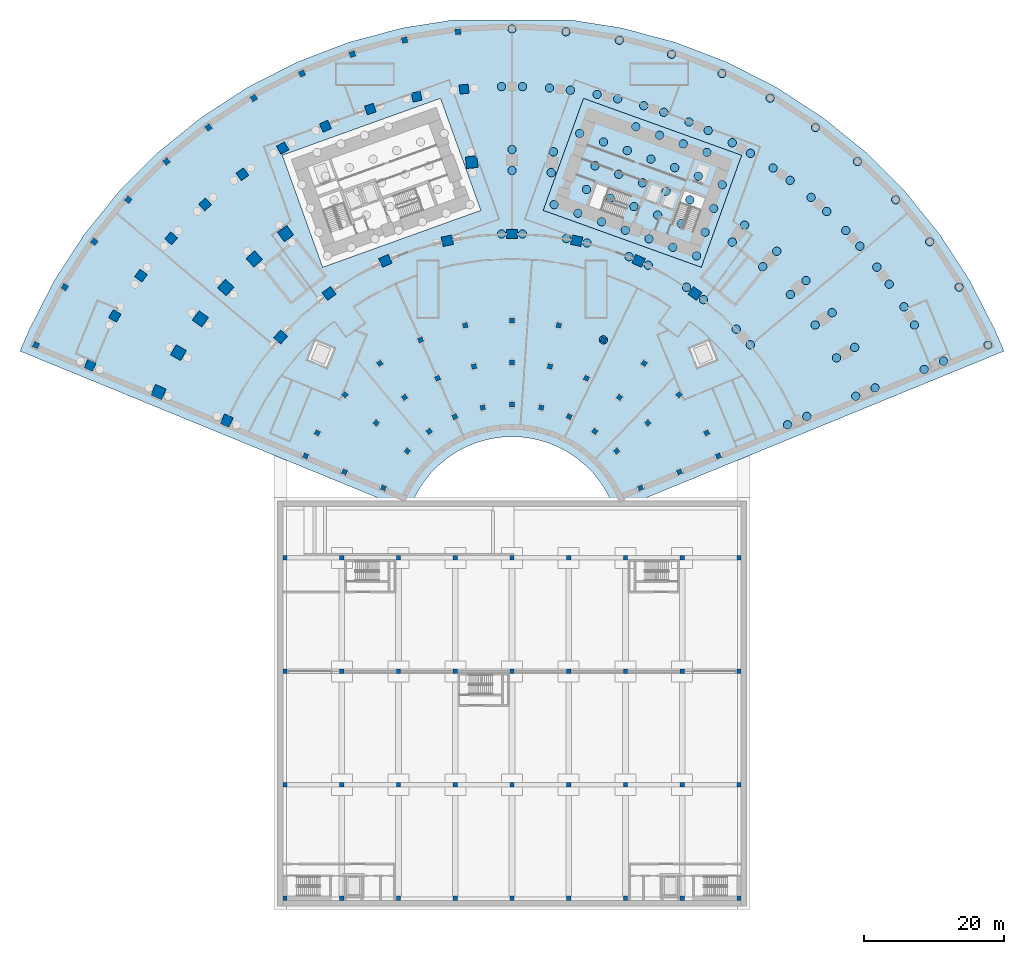
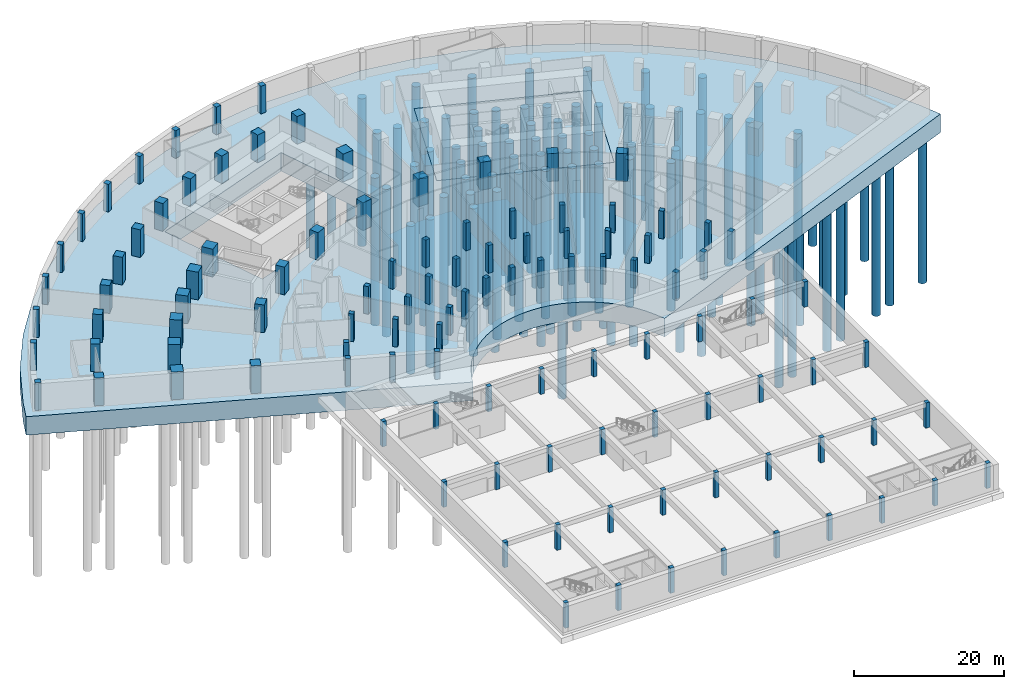
# One storey, part 2 of 25: 109 columns, 95 piles, 2 footings.
"""IFC4 building model written with IfcOpenShell, lengths in metres."""

from ifc_helpers import new_model, si_unit, direction, frame, origin, origin_2d, place, context, subcontext, project, spatial, polyline, rectangle, circle, outline, extrude, material, layer, layer_set, material_profile, profile_set, type_object, element, save


model = new_model("IFC4")

# Units and contexts
model_context = context("Model", 3, precision=1e-05, world=origin(), true_north=direction((0.0, 1.0)))
body_context = subcontext(model_context, "Body", "Model", "MODEL_VIEW")
ifc_project = project(units=[si_unit("LENGTHUNIT", "METRE"), si_unit("AREAUNIT", "SQUARE_METRE"), si_unit("VOLUMEUNIT", "CUBIC_METRE"), si_unit("PLANEANGLEUNIT", "RADIAN"), si_unit("MASSUNIT", "GRAM", prefix="KILO")], contexts=[model_context])

# Site, building, storey
site_placement = place(None, origin())
site = spatial("IfcSite", under=ifc_project, at=site_placement, CompositionType="ELEMENT")
building_placement = place(site_placement, origin())
building = spatial("IfcBuilding", under=site, at=building_placement, Name="Stone Belt Terrace Tower", CompositionType="ELEMENT")
storey_placement = place(building_placement, frame((0.0, 0.0, -13.5)))
storey = spatial("IfcBuildingStorey", under=building, at=storey_placement, Name="B3", CompositionType="ELEMENT", Elevation=-13.5)

# Piles
ifc_material_1 = material(Name="Concrete B40", Category="concrete")
ifc_material_profile_1 = material_profile(ifc_material_1, circle(Radius=0.60009765625, at=origin_2d()), Name="PILE D1200")
ifc_profile_set_1 = profile_set([ifc_material_profile_1], Name="Concrete B40")
pile_type = type_object("IfcPileType", Name="Bored pile D1200", PredefinedType="BORED", material=ifc_profile_set_1)
for number, where, z_axis, x_axis, name in (
    (1, (13.05615234375, 29.32470703125, -2.89990234375), (0.0, 0.0, -1.0), (1.0, 0.0, 0.0), "Pile 31"),
    (2, (-1.5, 44.445068359375, -2.89990234375), (0.0, 0.0, -1.0), (1.0, 0.0, 0.0), "Pile 46"),
    (3, (1.5, 44.445068359375, -2.89990234375), (0.0, 0.0, -1.0), (1.0, 0.0, 0.0), "Pile 47"),
    (4, (7.7734375, 43.78564453125, -2.89990234375), (0.0, 0.0, -1.0), (1.0, 0.0, 0.0), "Pile 48"),
    (5, (10.7080078125, 43.161865234375, -2.89990234375), (0.0, 0.0, -1.0), (1.0, 0.0, 0.0), "Pile 49"),
    (6, (16.70703125, 41.212646484375, -2.89990234375), (0.0, 0.0, -1.0), (1.0, 0.0, 0.0), "Pile 50"),
    (7, (19.44775390625, 39.992431640625, -2.89990234375), (0.0, 0.0, -1.0), (1.0, 0.0, 0.0), "Pile 51"),
    (8, (24.91064453125, 36.83837890625, -2.89990234375), (0.0, 0.0, -1.0), (1.0, 0.0, 0.0), "Pile 52"),
    (9, (27.337646484375, 35.0751953125, -2.89990234375), (0.0, 0.0, -1.0), (1.0, 0.0, 0.0), "Pile 53"),
    (10, (32.025390625, 30.854248046875, -2.89990234375), (0.0, 0.0, -1.0), (1.0, 0.0, 0.0), "Pile 54"),
    (11, (34.03271484375, 28.624755859375, -2.89990234375), (0.0, 0.0, -1.0), (1.0, 0.0, 0.0), "Pile 55"),
    (12, (39.352783203125, 17.194091796875, -2.89990234375), (0.0, 0.0, -1.0), (1.0, 0.0, 0.0), "Pile 56"),
    (13, (42.101806640625, 18.395263671875, -2.89990234375), (0.0, 0.0, -1.0), (1.0, 0.0, 0.0), "Pile 57"),
    (14, (0.0, 53.5, -2.89990234375), (0.0, 0.0, -1.0), (1.0, 0.0, 0.0), "Pile 72"),
    (15, (0.0, 56.5, -2.89990234375), (0.0, 0.0, -1.0), (1.0, 0.0, 0.0), "Pile 73"),
    (16, (5.59228515625, 53.206787109375, -2.89990234375), (0.0, 0.0, -1.0), (1.0, 0.0, 0.0), "Pile 74"),
    (17, (5.906005859375, 56.1904296875, -2.89990234375), (0.0, 0.0, -1.0), (1.0, 0.0, 0.0), "Pile 75"),
    (18, (31.446533203125, 43.282470703125, -2.89990234375), (0.0, 0.0, -1.0), (1.0, 0.0, 0.0), "Pile 76"),
    (19, (33.2099609375, 45.70947265625, -2.89990234375), (0.0, 0.0, -1.0), (1.0, 0.0, 0.0), "Pile 77"),
    (20, (35.798583984375, 39.75830078125, -2.89990234375), (0.0, 0.0, -1.0), (1.0, 0.0, 0.0), "Pile 78"),
    (21, (37.805908203125, 41.98779296875, -2.89990234375), (0.0, 0.0, -1.0), (1.0, 0.0, 0.0), "Pile 79"),
    (22, (39.75830078125, 35.798583984375, -2.89990234375), (0.0, 0.0, -1.0), (1.0, 0.0, 0.0), "Pile 80"),
    (23, (41.98779296875, 37.805908203125, -2.89990234375), (0.0, 0.0, -1.0), (1.0, 0.0, 0.0), "Pile 81"),
    (24, (43.282470703125, 31.446533203125, -2.89990234375), (0.0, 0.0, -1.0), (1.0, 0.0, 0.0), "Pile 82"),
    (25, (45.70947265625, 33.2099609375, -2.89990234375), (0.0, 0.0, -1.0), (1.0, 0.0, 0.0), "Pile 83"),
    (26, (46.33251953125, 26.75, -2.89990234375), (0.0, 0.0, -1.0), (1.0, 0.0, 0.0), "Pile 84"),
    (27, (48.930419921875, 28.25, -2.89990234375), (0.0, 0.0, -1.0), (1.0, 0.0, 0.0), "Pile 85"),
    (28, (49.089599609375, 21.27099609375, -2.89990234375), (0.0, 0.0, -1.0), (1.0, 0.0, 0.0), "Pile 86"),
    (29, (51.84228515625, 22.4638671875, -2.89990234375), (0.0, 0.0, -1.0), (1.0, 0.0, 0.0), "Pile 87"),
    (30, (-1.5, 65.489013671875, -2.89990234375), (0.0, 0.0, -1.0), (1.0, 0.0, 0.0), "Pile 110"),
    (31, (1.5, 65.489013671875, -2.89990234375), (0.0, 0.0, -1.0), (1.0, 0.0, 0.0), "Pile 111"),
    (32, (5.353759765625, 65.286865234375, -2.89990234375), (0.0, 0.0, -1.0), (1.0, 0.0, 0.0), "Pile 112"),
    (33, (8.337158203125, 64.973388671875, -2.89990234375), (0.0, 0.0, -1.0), (1.0, 0.0, 0.0), "Pile 113"),
    (34, (12.148681640625, 64.36962890625, -2.89990234375), (0.0, 0.0, -1.0), (1.0, 0.0, 0.0), "Pile 114"),
    (35, (15.0830078125, 63.745849609375, -2.89990234375), (0.0, 0.0, -1.0), (1.0, 0.0, 0.0), "Pile 115"),
    (36, (18.810546875, 62.7470703125, -2.89990234375), (0.0, 0.0, -1.0), (1.0, 0.0, 0.0), "Pile 116"),
    (37, (21.663818359375, 61.820068359375, -2.89990234375), (0.0, 0.0, -1.0), (1.0, 0.0, 0.0), "Pile 117"),
    (38, (25.266357421875, 60.437255859375, -2.89990234375), (0.0, 0.0, -1.0), (1.0, 0.0, 0.0), "Pile 118"),
    (39, (28.007080078125, 59.216796875, -2.89990234375), (0.0, 0.0, -1.0), (1.0, 0.0, 0.0), "Pile 119"),
    (40, (31.4453125, 57.465087890625, -2.89990234375), (0.0, 0.0, -1.0), (1.0, 0.0, 0.0), "Pile 120"),
    (41, (34.04345703125, 55.965087890625, -2.89990234375), (0.0, 0.0, -1.0), (1.0, 0.0, 0.0), "Pile 121"),
    (42, (37.27978515625, 53.86328125, -2.89990234375), (0.0, 0.0, -1.0), (1.0, 0.0, 0.0), "Pile 122"),
    (43, (39.706787109375, 52.099853515625, -2.89990234375), (0.0, 0.0, -1.0), (1.0, 0.0, 0.0), "Pile 123"),
    (44, (42.705810546875, 49.67138671875, -2.89990234375), (0.0, 0.0, -1.0), (1.0, 0.0, 0.0), "Pile 124"),
    (45, (44.935302734375, 47.6640625, -2.89990234375), (0.0, 0.0, -1.0), (1.0, 0.0, 0.0), "Pile 125"),
    (46, (47.6640625, 44.935302734375, -2.89990234375), (0.0, 0.0, -1.0), (1.0, 0.0, 0.0), "Pile 126"),
    (47, (49.67138671875, 42.705810546875, -2.89990234375), (0.0, 0.0, -1.0), (1.0, 0.0, 0.0), "Pile 127"),
    (48, (52.099853515625, 39.706787109375, -2.89990234375), (0.0, 0.0, -1.0), (1.0, 0.0, 0.0), "Pile 128"),
    (49, (53.86328125, 37.27978515625, -2.89990234375), (0.0, 0.0, -1.0), (1.0, 0.0, 0.0), "Pile 129"),
    (50, (55.965087890625, 34.04345703125, -2.89990234375), (0.0, 0.0, -1.0), (1.0, 0.0, 0.0), "Pile 130"),
    (51, (57.465087890625, 31.4453125, -2.89990234375), (0.0, 0.0, -1.0), (1.0, 0.0, 0.0), "Pile 131"),
    (52, (58.862060546875, 25.0966796875, -2.89990234375), (0.0, 0.0, -1.0), (1.0, 0.0, 0.0), "Pile 132"),
    (53, (61.62158203125, 26.273193359375, -2.89990234375), (0.0, 0.0, -1.0), (1.0, 0.0, 0.0), "Pile 133"),
    (54, (0.0, 73.727783203125, -2.89990234375), (0.0, 0.0, -1.0), (1.0, 0.0, 0.0), "Pile 145"),
    (55, (7.706787109375, 73.323974609375, -2.89990234375), (0.0, 0.0, -1.0), (1.0, 0.0, 0.0), "Pile 146"),
    (56, (15.328857421875, 72.11669921875, -2.89990234375), (0.0, 0.0, -1.0), (1.0, 0.0, 0.0), "Pile 147"),
    (57, (22.783203125, 70.119384765625, -2.89990234375), (0.0, 0.0, -1.0), (1.0, 0.0, 0.0), "Pile 148"),
    (58, (29.98779296875, 67.353759765625, -2.89990234375), (0.0, 0.0, -1.0), (1.0, 0.0, 0.0), "Pile 149"),
    (59, (36.864013671875, 63.85009765625, -2.89990234375), (0.0, 0.0, -1.0), (1.0, 0.0, 0.0), "Pile 150"),
    (60, (43.336181640625, 59.647216796875, -2.89990234375), (0.0, 0.0, -1.0), (1.0, 0.0, 0.0), "Pile 151"),
    (61, (49.33349609375, 54.79052734375, -2.89990234375), (0.0, 0.0, -1.0), (1.0, 0.0, 0.0), "Pile 152"),
    (62, (54.79052734375, 49.33349609375, -2.89990234375), (0.0, 0.0, -1.0), (1.0, 0.0, 0.0), "Pile 153"),
    (63, (59.647216796875, 43.336181640625, -2.89990234375), (0.0, 0.0, -1.0), (1.0, 0.0, 0.0), "Pile 154"),
    (64, (63.85009765625, 36.864013671875, -2.89990234375), (0.0, 0.0, -1.0), (1.0, 0.0, 0.0), "Pile 155"),
    (65, (67.96337890625, 28.57958984375, -2.89990234375), (0.0, 0.0, -1.0), (1.0, 0.0, 0.0), "Pile 156"),
    (66, (6.0244140625, 48.63330078125, -3.39990234375), (0.0, 0.0, -1.0), (1.0, 0.0, 0.0), "Pile 187"),
    (67, (9.681396484375, 58.795166015625, -3.39990234375), (0.0, 0.0, -1.0), (1.0, 0.0, 0.0), "Pile 188"),
    (68, (9.41162109375, 47.4140625, -3.39990234375), (0.0, 0.0, -1.0), (1.0, 0.0, 0.0), "Pile 189"),
    (69, (10.630615234375, 50.801513671875, -3.39990234375), (0.0, 0.0, -1.0), (1.0, 0.0, 0.0), "Pile 190"),
    (70, (11.849609375, 54.188720703125, -3.39990234375), (0.0, 0.0, -1.0), (1.0, 0.0, 0.0), "Pile 191"),
    (71, (13.06884765625, 57.576171875, -3.39990234375), (0.0, 0.0, -1.0), (1.0, 0.0, 0.0), "Pile 192"),
    (72, (12.798828125, 46.195068359375, -3.39990234375), (0.0, 0.0, -1.0), (1.0, 0.0, 0.0), "Pile 193"),
    (73, (14.01806640625, 49.58251953125, -3.39990234375), (0.0, 0.0, -1.0), (1.0, 0.0, 0.0), "Pile 194"),
    (74, (15.237060546875, 52.9697265625, -3.39990234375), (0.0, 0.0, -1.0), (1.0, 0.0, 0.0), "Pile 195"),
    (75, (16.4560546875, 56.357177734375, -3.39990234375), (0.0, 0.0, -1.0), (1.0, 0.0, 0.0), "Pile 196"),
    (76, (17.675048828125, 59.744384765625, -3.39990234375), (0.0, 0.0, -1.0), (1.0, 0.0, 0.0), "Pile 197"),
    (77, (16.186279296875, 44.97607421875, -3.39990234375), (0.0, 0.0, -1.0), (1.0, 0.0, 0.0), "Pile 198"),
    (78, (17.4052734375, 48.36328125, -3.39990234375), (0.0, 0.0, -1.0), (1.0, 0.0, 0.0), "Pile 199"),
    (79, (18.624267578125, 51.750732421875, -3.39990234375), (0.0, 0.0, -1.0), (1.0, 0.0, 0.0), "Pile 200"),
    (80, (19.843505859375, 55.137939453125, -3.39990234375), (0.0, 0.0, -1.0), (1.0, 0.0, 0.0), "Pile 201"),
    (81, (21.0625, 58.525390625, -3.39990234375), (0.0, 0.0, -1.0), (1.0, 0.0, 0.0), "Pile 202"),
    (82, (19.573486328125, 43.757080078125, -3.39990234375), (0.0, 0.0, -1.0), (1.0, 0.0, 0.0), "Pile 203"),
    (83, (20.79248046875, 47.144287109375, -3.39990234375), (0.0, 0.0, -1.0), (1.0, 0.0, 0.0), "Pile 204"),
    (84, (22.01171875, 50.531494140625, -3.39990234375), (0.0, 0.0, -1.0), (1.0, 0.0, 0.0), "Pile 205"),
    (85, (23.230712890625, 53.9189453125, -3.39990234375), (0.0, 0.0, -1.0), (1.0, 0.0, 0.0), "Pile 206"),
    (86, (24.44970703125, 57.306396484375, -3.39990234375), (0.0, 0.0, -1.0), (1.0, 0.0, 0.0), "Pile 207"),
    (87, (22.9609375, 42.5380859375, -3.39990234375), (0.0, 0.0, -1.0), (1.0, 0.0, 0.0), "Pile 208"),
    (88, (24.179931640625, 45.92529296875, -3.39990234375), (0.0, 0.0, -1.0), (1.0, 0.0, 0.0), "Pile 209"),
    (89, (25.39892578125, 49.3125, -3.39990234375), (0.0, 0.0, -1.0), (1.0, 0.0, 0.0), "Pile 210"),
    (90, (26.617919921875, 52.699951171875, -3.39990234375), (0.0, 0.0, -1.0), (1.0, 0.0, 0.0), "Pile 211"),
    (91, (27.837158203125, 56.087158203125, -3.39990234375), (0.0, 0.0, -1.0), (1.0, 0.0, 0.0), "Pile 212"),
    (92, (26.34814453125, 41.31884765625, -3.39990234375), (0.0, 0.0, -1.0), (1.0, 0.0, 0.0), "Pile 213"),
    (93, (27.567138671875, 44.706298828125, -3.39990234375), (0.0, 0.0, -1.0), (1.0, 0.0, 0.0), "Pile 214"),
    (94, (28.786376953125, 48.093505859375, -3.39990234375), (0.0, 0.0, -1.0), (1.0, 0.0, 0.0), "Pile 215"),
    (95, (30.00537109375, 51.48095703125, -3.39990234375), (0.0, 0.0, -1.0), (1.0, 0.0, 0.0), "Pile 216"),
):
    element("IfcPile", number, at=place(storey_placement, frame(where, z_axis=z_axis, x_axis=x_axis)), inside=storey, type_object=pile_type, Name=name, PredefinedType="BORED", context=body_context, shape_type="SweptSolid", body=[
        extrude(circle(Radius=0.60009765625, at=origin_2d()), origin(), (0.0, 0.0, 1.0), 24.0),
    ])

# Footings
ifc_layer_1 = layer(ifc_material_1, 3.5)
ifc_layer_set_1 = layer_set([ifc_layer_1], Name="Core pad 3500 B40")
footing_type_1 = type_object("IfcFootingType", Name="Core pad 3500 B40", PredefinedType="PILE_CAP", material=ifc_layer_set_1)
footing_1_placement = place(storey_placement, frame((0.0, 0.0, -3.5)))
element("IfcFooting", 96, at=footing_1_placement, inside=storey, type_object=footing_type_1, Name="Core B pad", PredefinedType="PILE_CAP", context=body_context, shape_type="SweptSolid", body=[
    extrude(outline(polyline([(4.455078125, 47.81640625), (27.037109375, 39.689453125), (32.793701171875, 55.68505859375), (10.211669921875, 63.81201171875), (4.455078125, 47.81640625)])), origin(), (0.0, 0.0, 1.0), 3.5),
])
ifc_layer_2 = layer(ifc_material_1, 3.0)
ifc_layer_set_2 = layer_set([ifc_layer_2], Name="Piled raft 3000 B40")
footing_type_2 = type_object("IfcFootingType", Name="Piled raft 3000 B40", PredefinedType="PILE_CAP", material=ifc_layer_set_2)
footing_2_placement = place(storey_placement, frame((0.0, 0.0, -3.0)))
element("IfcFooting", 97, at=footing_2_placement, inside=storey, type_object=footing_type_2, Name="Tower raft", PredefinedType="PILE_CAP", context=body_context, shape_type="SweptSolid", body=[
    extrude(outline(polyline([(15.697509765625, 73.8515625), (23.331298828125, 71.80615234375), (30.709228515625, 68.973876953125), (37.750732421875, 65.385986328125), (44.378662109375, 61.081787109375), (50.520263671875, 56.1083984375), (56.1083984375, 50.520263671875), (61.081787109375, 44.378662109375), (65.385986328125, 37.750732421875), (68.96533203125, 30.725830078125), (70.253173828125, 27.71337890625), (14.735107421875, 4.95849609375), (14.167236328125, 6.287109375), (13.422119140625, 7.749267578125), (12.538818359375, 9.10986328125), (11.517578125, 10.37060546875), (10.37060546875, 11.517578125), (9.10986328125, 12.538818359375), (7.749267578125, 13.422119140625), (6.303955078125, 14.15869140625), (4.789306640625, 14.739990234375), (3.222412109375, 15.159912109375), (1.6201171875, 15.413818359375), (0.0, 15.49853515625), (-1.6201171875, 15.413818359375), (-3.222412109375, 15.159912109375), (-4.789306640625, 14.739990234375), (-6.303955078125, 14.15869140625), (-7.749267578125, 13.422119140625), (-9.10986328125, 12.538818359375), (-10.37060546875, 11.517578125), (-11.517578125, 10.37060546875), (-12.538818359375, 9.10986328125), (-13.422119140625, 7.749267578125), (-14.167236328125, 6.287109375), (-14.735107421875, 4.95849609375), (-70.253173828125, 27.71337890625), (-68.96533203125, 30.725830078125), (-65.385986328125, 37.750732421875), (-61.081787109375, 44.378662109375), (-56.1083984375, 50.520263671875), (-50.520263671875, 56.1083984375), (-44.378662109375, 61.081787109375), (-37.750732421875, 65.385986328125), (-30.709228515625, 68.973876953125), (-23.331298828125, 71.80615234375), (-15.697509765625, 73.8515625), (-8.4462890625, 75.0), (8.4462890625, 75.0), (15.697509765625, 73.8515625)]), holes=[polyline([(-27.037109375, 39.689453125), (-4.455078125, 47.81640625), (-10.211669921875, 63.81201171875), (-32.793701171875, 55.68505859375), (-27.037109375, 39.689453125)]), polyline([(4.455078125, 47.81640625), (27.037109375, 39.689453125), (32.793701171875, 55.68505859375), (10.211669921875, 63.81201171875), (4.455078125, 47.81640625)])]), origin(), (0.0, 0.0, 1.0), 3.0),
])

# Columns
ifc_material_2 = material(Name="Concrete B60", Category="concrete")
ifc_material_profile_2 = material_profile(ifc_material_2, rectangle(XDim=0.60009765625, YDim=0.60009765625, at=origin_2d()), Name="Car park column 600 x 600")
ifc_profile_set_2 = profile_set([ifc_material_profile_2], Name="Concrete B60")
column_type_1 = type_object("IfcColumnType", Name="Car park column 600 x 600", PredefinedType="COLUMN", material=ifc_profile_set_2)
for number, where, z_axis, x_axis, name in (
    (98, (-32.39990234375, -50.39990234375, 0.0), (0.0, 0.0, 1.0), (1.0, 0.0, 0.0), "Car park column 1A"),
    (99, (-32.39990234375, -34.199951171875, 0.0), (0.0, 0.0, 1.0), (1.0, 0.0, 0.0), "Car park column 1C"),
    (100, (-32.39990234375, -18.0, 0.0), (0.0, 0.0, 1.0), (1.0, 0.0, 0.0), "Car park column 1E"),
    (101, (-32.39990234375, -1.800048828125, 0.0), (0.0, 0.0, 1.0), (1.0, 0.0, 0.0), "Car park column 1G"),
    (102, (-24.300048828125, -50.39990234375, 0.0), (0.0, 0.0, 1.0), (1.0, 0.0, 0.0), "Car park column 2A"),
    (103, (-24.300048828125, -34.199951171875, 0.0), (0.0, 0.0, 1.0), (1.0, 0.0, 0.0), "Car park column 2C"),
    (104, (-24.300048828125, -18.0, 0.0), (0.0, 0.0, 1.0), (1.0, 0.0, 0.0), "Car park column 2E"),
    (105, (-24.300048828125, -1.800048828125, 0.0), (0.0, 0.0, 1.0), (1.0, 0.0, 0.0), "Car park column 2G"),
    (106, (-16.199951171875, -50.39990234375, 0.0), (0.0, 0.0, 1.0), (1.0, 0.0, 0.0), "Car park column 3A"),
    (107, (-16.199951171875, -34.199951171875, 0.0), (0.0, 0.0, 1.0), (1.0, 0.0, 0.0), "Car park column 3C"),
    (108, (-16.199951171875, -18.0, 0.0), (0.0, 0.0, 1.0), (1.0, 0.0, 0.0), "Car park column 3E"),
    (109, (-16.199951171875, -1.800048828125, 0.0), (0.0, 0.0, 1.0), (1.0, 0.0, 0.0), "Car park column 3G"),
    (110, (-8.10009765625, -50.39990234375, 0.0), (0.0, 0.0, 1.0), (1.0, 0.0, 0.0), "Car park column 4A"),
    (111, (-8.10009765625, -34.199951171875, 0.0), (0.0, 0.0, 1.0), (1.0, 0.0, 0.0), "Car park column 4C"),
    (112, (-8.10009765625, -18.0, 0.0), (0.0, 0.0, 1.0), (1.0, 0.0, 0.0), "Car park column 4E"),
    (113, (-8.10009765625, -1.800048828125, 0.0), (0.0, 0.0, 1.0), (1.0, 0.0, 0.0), "Car park column 4G"),
    (114, (0.0, -50.39990234375, 0.0), (0.0, 0.0, 1.0), (1.0, 0.0, 0.0), "Car park column 5A"),
    (115, (0.0, -34.199951171875, 0.0), (0.0, 0.0, 1.0), (1.0, 0.0, 0.0), "Car park column 5C"),
    (116, (0.0, -18.0, 0.0), (0.0, 0.0, 1.0), (1.0, 0.0, 0.0), "Car park column 5E"),
    (117, (0.0, -1.800048828125, 0.0), (0.0, 0.0, 1.0), (1.0, 0.0, 0.0), "Car park column 5G"),
    (118, (8.10009765625, -50.39990234375, 0.0), (0.0, 0.0, 1.0), (1.0, 0.0, 0.0), "Car park column 6A"),
    (119, (8.10009765625, -34.199951171875, 0.0), (0.0, 0.0, 1.0), (1.0, 0.0, 0.0), "Car park column 6C"),
    (120, (8.10009765625, -18.0, 0.0), (0.0, 0.0, 1.0), (1.0, 0.0, 0.0), "Car park column 6E"),
    (121, (8.10009765625, -1.800048828125, 0.0), (0.0, 0.0, 1.0), (1.0, 0.0, 0.0), "Car park column 6G"),
    (122, (16.199951171875, -50.39990234375, 0.0), (0.0, 0.0, 1.0), (1.0, 0.0, 0.0), "Car park column 7A"),
    (123, (16.199951171875, -34.199951171875, 0.0), (0.0, 0.0, 1.0), (1.0, 0.0, 0.0), "Car park column 7C"),
    (124, (16.199951171875, -18.0, 0.0), (0.0, 0.0, 1.0), (1.0, 0.0, 0.0), "Car park column 7E"),
    (125, (16.199951171875, -1.800048828125, 0.0), (0.0, 0.0, 1.0), (1.0, 0.0, 0.0), "Car park column 7G"),
    (126, (24.300048828125, -50.39990234375, 0.0), (0.0, 0.0, 1.0), (1.0, 0.0, 0.0), "Car park column 8A"),
    (127, (24.300048828125, -34.199951171875, 0.0), (0.0, 0.0, 1.0), (1.0, 0.0, 0.0), "Car park column 8C"),
    (128, (24.300048828125, -18.0, 0.0), (0.0, 0.0, 1.0), (1.0, 0.0, 0.0), "Car park column 8E"),
    (129, (24.300048828125, -1.800048828125, 0.0), (0.0, 0.0, 1.0), (1.0, 0.0, 0.0), "Car park column 8G"),
    (130, (32.39990234375, -50.39990234375, 0.0), (0.0, 0.0, 1.0), (1.0, 0.0, 0.0), "Car park column 9A"),
    (131, (32.39990234375, -34.199951171875, 0.0), (0.0, 0.0, 1.0), (1.0, 0.0, 0.0), "Car park column 9C"),
    (132, (32.39990234375, -18.0, 0.0), (0.0, 0.0, 1.0), (1.0, 0.0, 0.0), "Car park column 9E"),
    (133, (32.39990234375, -1.800048828125, 0.0), (0.0, 0.0, 1.0), (1.0, 0.0, 0.0), "Car park column 9G"),
):
    element("IfcColumn", number, at=place(storey_placement, frame(where, z_axis=z_axis, x_axis=x_axis)), inside=storey, type_object=column_type_1, Name=name, PredefinedType="COLUMN", context=body_context, shape_type="SweptSolid", body=[
        extrude(rectangle(XDim=0.60009765625, YDim=0.60009765625, at=origin_2d()), origin(), (0.0, 0.0, 1.0), 4.10009765625),
    ])
ifc_material_3 = material(Name="Concrete B80", Category="concrete")
ifc_material_profile_3 = material_profile(ifc_material_3, rectangle(XDim=1.300048828125, YDim=1.300048828125, at=origin_2d()), Name="RC 1300x1300")
ifc_profile_set_3 = profile_set([ifc_material_profile_3], Name="Concrete B80")
column_type_2 = type_object("IfcColumnType", Name="Column RC 1300x1300 B80", PredefinedType="COLUMN", material=ifc_profile_set_3)
for number, where, z_axis, x_axis, name in (
    (134, (-60.24169921875, 25.68505859375, 0.0), (0.0, 0.0, 1.0), (0.392203865004, 0.919878322538, 0.0), "Column B3 RA"),
    (135, (-56.715087890625, 32.744384765625, 0.0), (0.0, 0.0, 1.0), (0.5, 0.866025403784, 0.0), "Column B3 R12"),
    (136, (-52.981689453125, 38.493408203125, 0.0), (0.0, 0.0, 1.0), (0.587785252292, 0.809016994375, 0.0), "Column B3 R13"),
    (137, (-48.667724609375, 43.820556640625, 0.0), (0.0, 0.0, 1.0), (0.669130606359, 0.743144825477, 0.0), "Column B3 R14"),
    (138, (-43.820556640625, 48.667724609375, 0.0), (0.0, 0.0, 1.0), (0.743144825477, 0.669130606359, 0.0), "Column B3 R15"),
    (139, (-38.493408203125, 52.981689453125, 0.0), (0.0, 0.0, 1.0), (0.809016994375, 0.587785252292, 0.0), "Column B3 R16"),
    (140, (-32.744384765625, 56.715087890625, 0.0), (0.0, 0.0, 1.0), (0.866025403784, 0.5, 0.0), "Column B3 R17"),
    (141, (-26.63671875, 59.8271484375, 0.0), (0.0, 0.0, 1.0), (0.913545457643, 0.406736643076, 0.0), "Column B3 R18"),
    (142, (-20.2373046875, 62.28369140625, 0.0), (0.0, 0.0, 1.0), (0.951056516295, 0.309016994375, 0.0), "Column B3 R19"),
    (143, (-13.615966796875, 64.057861328125, 0.0), (0.0, 0.0, 1.0), (0.978147600734, 0.207911690818, 0.0), "Column B3 R20"),
    (144, (-6.845458984375, 65.130126953125, 0.0), (0.0, 0.0, 1.0), (0.994521895368, 0.104528463268, 0.0), "Column B3 R21"),
):
    element("IfcColumn", number, at=place(storey_placement, frame(where, z_axis=z_axis, x_axis=x_axis)), inside=storey, type_object=column_type_2, Name=name, PredefinedType="COLUMN", context=body_context, shape_type="SweptSolid", body=[
        extrude(rectangle(XDim=1.300048828125, YDim=1.300048828125, at=origin_2d()), origin(), (0.0, 0.0, 1.0), 4.5),
    ])
ifc_material_profile_4 = material_profile(ifc_material_3, rectangle(XDim=1.5, YDim=1.35009765625, at=origin_2d()), Name="RC 1500x1350")
ifc_profile_set_4 = profile_set([ifc_material_profile_4], Name="Concrete B80")
column_type_3 = type_object("IfcColumnType", Name="Column RC 1500x1350 B80", PredefinedType="COLUMN", material=ifc_profile_set_4)
for number, where, z_axis, x_axis, name in (
    (145, (-40.727294921875, 17.794677734375, 0.0), (0.0, 0.0, 1.0), (0.40037622141, 0.916350850564, 0.0), "Column B3 PA"),
    (146, (-33.029052734375, 29.739501953125, 0.0), (0.0, 0.0, 1.0), (0.669130606359, 0.743144825477, 0.0), "Column B3 P14"),
    (147, (-26.1240234375, 35.956787109375, 0.0), (0.0, 0.0, 1.0), (0.809016994375, 0.587785252292, 0.0), "Column B3 P16"),
    (148, (-18.077392578125, 40.6025390625, 0.0), (0.0, 0.0, 1.0), (0.913545457643, 0.406736643076, 0.0), "Column B3 P18"),
    (149, (-9.240478515625, 43.473876953125, 0.0), (0.0, 0.0, 1.0), (0.978147600734, 0.207911690818, 0.0), "Column B3 P20"),
    (150, (0.0, 44.445068359375, 0.0), (0.0, 0.0, 1.0), (1.0, 0.0, 0.0), "Column B3 P22"),
    (151, (9.240478515625, 43.473876953125, 0.0), (0.0, 0.0, 1.0), (0.978147600734, -0.207911690818, 0.0), "Column B3 P24"),
    (152, (18.077392578125, 40.6025390625, 0.0), (0.0, 0.0, 1.0), (0.913545457643, -0.406736643076, 0.0), "Column B3 P26"),
    (153, (26.1240234375, 35.956787109375, 0.0), (0.0, 0.0, 1.0), (0.809016994375, -0.587785252292, 0.0), "Column B3 P28"),
):
    element("IfcColumn", number, at=place(storey_placement, frame(where, z_axis=z_axis, x_axis=x_axis)), inside=storey, type_object=column_type_3, Name=name, PredefinedType="COLUMN", context=body_context, shape_type="SweptSolid", body=[
        extrude(rectangle(XDim=1.5, YDim=1.35009765625, at=origin_2d()), origin(), (0.0, 0.0, 1.0), 4.5),
    ])
ifc_material_profile_5 = material_profile(ifc_material_3, rectangle(XDim=1.64990234375, YDim=1.64990234375, at=origin_2d()), Name="RC 1650x1650")
ifc_profile_set_5 = profile_set([ifc_material_profile_5], Name="Concrete B80")
column_type_4 = type_object("IfcColumnType", Name="Column RC 1650x1650 B80", PredefinedType="COLUMN", material=ifc_profile_set_5)
for number, where, z_axis, x_axis, name in (
    (154, (-50.466064453125, 21.867431640625, 0.0), (0.0, 0.0, 1.0), (0.397588335471, 0.917563902678, 0.0), "Column B3 QA"),
    (155, (-47.63134765625, 27.5, 0.0), (0.0, 0.0, 1.0), (0.5, 0.866025403784, 0.0), "Column B3 Q12"),
    (156, (-44.495849609375, 32.328125, 0.0), (0.0, 0.0, 1.0), (0.587785252292, 0.809016994375, 0.0), "Column B3 Q13"),
    (157, (-40.873046875, 36.80224609375, 0.0), (0.0, 0.0, 1.0), (0.669130606359, 0.743144825477, 0.0), "Column B3 Q14"),
    (158, (-36.80224609375, 40.873046875, 0.0), (0.0, 0.0, 1.0), (0.743144825477, 0.669130606359, 0.0), "Column B3 Q15"),
    (159, (-32.328125, 44.495849609375, 0.0), (0.0, 0.0, 1.0), (0.809016994375, 0.587785252292, 0.0), "Column B3 Q16"),
    (160, (-5.7490234375, 54.69873046875, 0.0), (0.0, 0.0, 1.0), (0.994521895368, 0.104528463268, 0.0), "Column B3 Q21"),
):
    element("IfcColumn", number, at=place(storey_placement, frame(where, z_axis=z_axis, x_axis=x_axis)), inside=storey, type_object=column_type_4, Name=name, PredefinedType="COLUMN", context=body_context, shape_type="SweptSolid", body=[
        extrude(rectangle(XDim=1.64990234375, YDim=1.64990234375, at=origin_2d()), origin(), (0.0, 0.0, 1.0), 4.5),
    ])
ifc_material_profile_6 = material_profile(ifc_material_2, rectangle(XDim=0.699951171875, YDim=0.699951171875, at=origin_2d()), Name="RC 700x700")
ifc_profile_set_6 = profile_set([ifc_material_profile_6], Name="Concrete B60")
column_type_5 = type_object("IfcColumnType", Name="Column RC 700x700 B60", PredefinedType="COLUMN", material=ifc_profile_set_6)
for number, where, z_axis, x_axis, name in (
    (161, (-18.3544921875, 8.19287109375, 0.0), (0.0, 0.0, 1.0), (0.40759905238, 0.913161000316, 0.0), "Column B3 MA"),
    (162, (-14.937255859375, 13.449462890625, 0.0), (0.0, 0.0, 1.0), (0.669130606359, 0.743144825477, 0.0), "Column B3 M14"),
    (163, (-11.814453125, 16.26123046875, 0.0), (0.0, 0.0, 1.0), (0.809016994375, 0.587785252292, 0.0), "Column B3 M16"),
    (164, (-8.17529296875, 18.3623046875, 0.0), (0.0, 0.0, 1.0), (0.913545457643, 0.406736643076, 0.0), "Column B3 M18"),
    (165, (-4.178955078125, 19.660888671875, 0.0), (0.0, 0.0, 1.0), (0.978147600734, 0.207911690818, 0.0), "Column B3 M20"),
    (166, (0.0, 20.10009765625, 0.0), (0.0, 0.0, 1.0), (1.0, 0.0, 0.0), "Column B3 M22"),
    (167, (4.178955078125, 19.660888671875, 0.0), (0.0, 0.0, 1.0), (0.978147600734, -0.207911690818, 0.0), "Column B3 M24"),
    (168, (8.17529296875, 18.3623046875, 0.0), (0.0, 0.0, 1.0), (0.913545457643, -0.406736643076, 0.0), "Column B3 M26"),
    (169, (11.814453125, 16.26123046875, 0.0), (0.0, 0.0, 1.0), (0.809016994375, -0.587785252292, 0.0), "Column B3 M28"),
    (170, (14.937255859375, 13.449462890625, 0.0), (0.0, 0.0, 1.0), (0.669130606359, -0.743144825477, 0.0), "Column B3 M30"),
    (171, (18.3544921875, 8.19287109375, 0.0), (0.0, 0.0, 1.0), (0.40759905238, -0.913161000316, 0.0), "Column B3 MB"),
    (172, (-23.908203125, 10.468994140625, 0.0), (0.0, 0.0, 1.0), (0.401114983453, 0.91602771249, 0.0), "Column B3 NA"),
    (173, (-19.39599609375, 17.46435546875, 0.0), (0.0, 0.0, 1.0), (0.669130606359, 0.743144825477, 0.0), "Column B3 N14"),
    (174, (-15.34130859375, 21.115234375, 0.0), (0.0, 0.0, 1.0), (0.809016994375, 0.587785252292, 0.0), "Column B3 N16"),
    (175, (-10.61572265625, 23.843505859375, 0.0), (0.0, 0.0, 1.0), (0.913545457643, 0.406736643076, 0.0), "Column B3 N18"),
    (176, (-5.426513671875, 25.52978515625, 0.0), (0.0, 0.0, 1.0), (0.978147600734, 0.207911690818, 0.0), "Column B3 N20"),
    (177, (0.0, 26.10009765625, 0.0), (0.0, 0.0, 1.0), (1.0, 0.0, 0.0), "Column B3 N22"),
    (178, (5.426513671875, 25.52978515625, 0.0), (0.0, 0.0, 1.0), (0.978147600734, -0.207911690818, 0.0), "Column B3 N24"),
    (179, (10.61572265625, 23.843505859375, 0.0), (0.0, 0.0, 1.0), (0.913545457643, -0.406736643076, 0.0), "Column B3 N26"),
    (180, (15.34130859375, 21.115234375, 0.0), (0.0, 0.0, 1.0), (0.809016994375, -0.587785252292, 0.0), "Column B3 N28"),
    (181, (19.39599609375, 17.46435546875, 0.0), (0.0, 0.0, 1.0), (0.669130606359, -0.743144825477, 0.0), "Column B3 N30"),
    (182, (23.908203125, 10.468994140625, 0.0), (0.0, 0.0, 1.0), (0.401114983453, -0.91602771249, 0.0), "Column B3 NB"),
    (183, (-29.46142578125, 12.7451171875, 0.0), (0.0, 0.0, 1.0), (0.39704377212, 0.917799674777, 0.0), "Column B3 OA"),
    (184, (-27.79931640625, 16.050048828125, 0.0), (0.0, 0.0, 1.0), (0.5, 0.866025403784, 0.0), "Column B3 O12"),
    (185, (-23.85498046875, 21.47900390625, 0.0), (0.0, 0.0, 1.0), (0.669130606359, 0.743144825477, 0.0), "Column B3 O14"),
    (186, (-18.867919921875, 25.969482421875, 0.0), (0.0, 0.0, 1.0), (0.809016994375, 0.587785252292, 0.0), "Column B3 O16"),
    (187, (-13.05615234375, 29.32470703125, 0.0), (0.0, 0.0, 1.0), (0.913545457643, 0.406736643076, 0.0), "Column B3 O18"),
    (188, (-6.674072265625, 31.3984375, 0.0), (0.0, 0.0, 1.0), (0.978147600734, 0.207911690818, 0.0), "Column B3 O20"),
    (189, (0.0, 32.10009765625, 0.0), (0.0, 0.0, 1.0), (1.0, 0.0, 0.0), "Column B3 O22"),
    (190, (6.674072265625, 31.3984375, 0.0), (0.0, 0.0, 1.0), (0.978147600734, -0.207911690818, 0.0), "Column B3 O24"),
    (191, (13.05615234375, 29.32470703125, 0.0), (0.0, 0.0, 1.0), (0.913545457643, -0.406736643076, 0.0), "Column B3 O26"),
    (192, (18.867919921875, 25.969482421875, 0.0), (0.0, 0.0, 1.0), (0.809016994375, -0.587785252292, 0.0), "Column B3 O28"),
    (193, (23.85498046875, 21.47900390625, 0.0), (0.0, 0.0, 1.0), (0.669130606359, -0.743144825477, 0.0), "Column B3 O30"),
    (194, (27.79931640625, 16.050048828125, 0.0), (0.0, 0.0, 1.0), (0.5, -0.866025403784, 0.0), "Column B3 O32"),
    (195, (29.46142578125, 12.7451171875, 0.0), (0.0, 0.0, 1.0), (0.39704377212, -0.917799674777, 0.0), "Column B3 OB"),
):
    element("IfcColumn", number, at=place(storey_placement, frame(where, z_axis=z_axis, x_axis=x_axis)), inside=storey, type_object=column_type_5, Name=name, PredefinedType="COLUMN", context=body_context, shape_type="SweptSolid", body=[
        extrude(rectangle(XDim=0.699951171875, YDim=0.699951171875, at=origin_2d()), origin(), (0.0, 0.0, 1.0), 4.5),
    ])
ifc_material_profile_7 = material_profile(ifc_material_2, rectangle(XDim=0.800048828125, YDim=0.800048828125, at=origin_2d()), Name="RC 800x800")
ifc_profile_set_7 = profile_set([ifc_material_profile_7], Name="Concrete B60")
column_type_6 = type_object("IfcColumnType", Name="Column RC 800x800 B60", PredefinedType="COLUMN", material=ifc_profile_set_7)
for number, where, z_axis, x_axis, name in (
    (196, (-67.96337890625, 28.57958984375, 0.0), (0.0, 0.0, 1.0), (0.387636254736, 0.921812418019, 0.0), "Column B3 SA"),
    (197, (-63.85009765625, 36.864013671875, 0.0), (0.0, 0.0, 1.0), (0.5, 0.866025403784, 0.0), "Column B3 S12"),
    (198, (-59.647216796875, 43.336181640625, 0.0), (0.0, 0.0, 1.0), (0.587785252292, 0.809016994375, 0.0), "Column B3 S13"),
    (199, (-54.79052734375, 49.33349609375, 0.0), (0.0, 0.0, 1.0), (0.669130606359, 0.743144825477, 0.0), "Column B3 S14"),
    (200, (-49.33349609375, 54.79052734375, 0.0), (0.0, 0.0, 1.0), (0.743144825477, 0.669130606359, 0.0), "Column B3 S15"),
    (201, (-43.336181640625, 59.647216796875, 0.0), (0.0, 0.0, 1.0), (0.809016994375, 0.587785252292, 0.0), "Column B3 S16"),
    (202, (-36.864013671875, 63.85009765625, 0.0), (0.0, 0.0, 1.0), (0.866025403784, 0.5, 0.0), "Column B3 S17"),
    (203, (-29.98779296875, 67.353759765625, 0.0), (0.0, 0.0, 1.0), (0.913545457643, 0.406736643076, 0.0), "Column B3 S18"),
    (204, (-22.783203125, 70.119384765625, 0.0), (0.0, 0.0, 1.0), (0.951056516295, 0.309016994375, 0.0), "Column B3 S19"),
    (205, (-15.328857421875, 72.11669921875, 0.0), (0.0, 0.0, 1.0), (0.978147600734, 0.207911690818, 0.0), "Column B3 S20"),
    (206, (-7.706787109375, 73.323974609375, 0.0), (0.0, 0.0, 1.0), (0.994521895368, 0.104528463268, 0.0), "Column B3 S21"),
):
    element("IfcColumn", number, at=place(storey_placement, frame(where, z_axis=z_axis, x_axis=x_axis)), inside=storey, type_object=column_type_6, Name=name, PredefinedType="COLUMN", context=body_context, shape_type="SweptSolid", body=[
        extrude(rectangle(XDim=0.800048828125, YDim=0.800048828125, at=origin_2d()), origin(), (0.0, 0.0, 1.0), 4.5),
    ])

save(model, "model.ifc")
